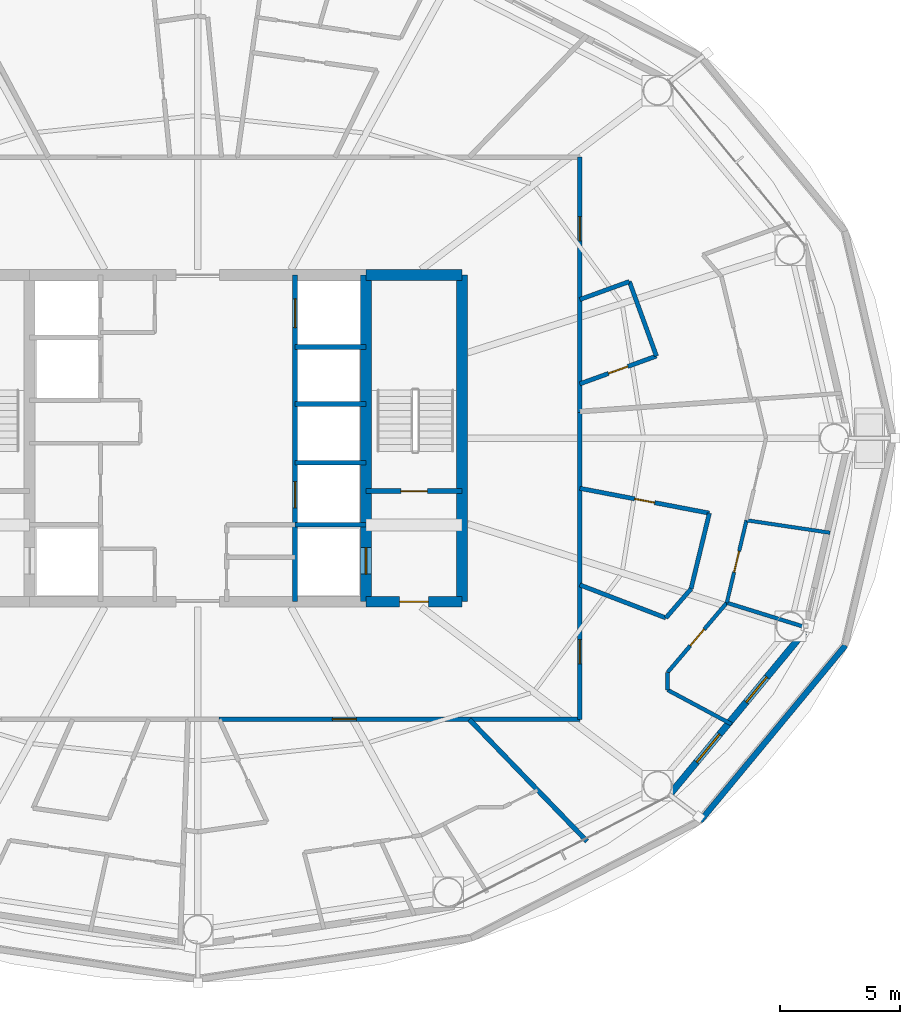
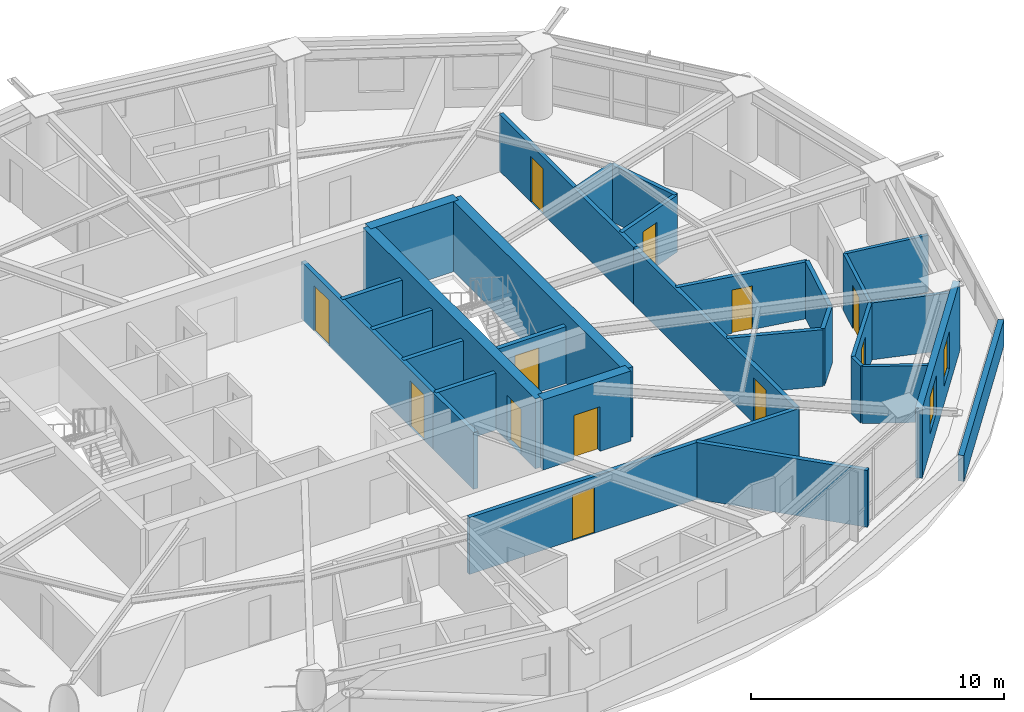
# One storey, part 22 of 27: 30 walls, 12 doors, 2 windows, 14 openings.
"""IFC4 building model written with IfcOpenShell, lengths in metres."""

from ifc_helpers import new_model, si_unit, direction, frame, frame_2d, origin, place, context, subcontext, project, spatial, rectangle, extrude, material, layer, layer_set, type_object, element, fill, save


model = new_model("IFC4")

# Units and contexts
model_context = context("Model", 3, precision=1e-05, world=origin(), true_north=direction((0.0, 1.0)))
body_context = subcontext(model_context, "Body", "Model", "MODEL_VIEW")
ifc_project = project(units=[si_unit("LENGTHUNIT", "METRE"), si_unit("AREAUNIT", "SQUARE_METRE"), si_unit("VOLUMEUNIT", "CUBIC_METRE"), si_unit("PLANEANGLEUNIT", "RADIAN"), si_unit("MASSUNIT", "GRAM", prefix="KILO")], contexts=[model_context])

# Site, building, storey
site_placement = place(None, origin())
site = spatial("IfcSite", under=ifc_project, at=site_placement, CompositionType="ELEMENT")
building_placement = place(site_placement, origin())
building = spatial("IfcBuilding", under=site, at=building_placement, Name="Sarneth Arch Tower", CompositionType="ELEMENT")
storey_placement = place(building_placement, frame((0.0, 0.0, 150.60009765625)))
storey = spatial("IfcBuildingStorey", under=building, at=storey_placement, Name="L37", CompositionType="ELEMENT", Elevation=150.60009765625)

# Wall, opening, door
ifc_material_1 = material(Name="Concrete C50/60", Category="concrete")
ifc_layer_1 = layer(ifc_material_1, 0.449951171875)
ifc_layer_set_1 = layer_set([ifc_layer_1], Name="Concrete C50/60")
wall_type_1 = type_object("IfcWallType", Name="WALL-CORE-450", PredefinedType="SHEAR", material=ifc_layer_set_1)
wall_1_placement = place(storey_placement, frame((55.0, 35.199951171875, 0.0), z_axis=(0.0, 0.0, 1.0), x_axis=(1.0, 0.0, 0.0)))
wall_1 = element("IfcWall", 1, at=wall_1_placement, inside=storey, type_object=wall_type_1, Name="L37 Core shear wall S-E", PredefinedType="SHEAR", context=body_context, shape_type="SweptSolid", body=[
    extrude(rectangle(XDim=4.0, YDim=0.449951171875, at=frame_2d((2.0, 0.0))), origin(), (0.0, 0.0, 1.0), 3.3798828125),
])
opening_1_placement = place(wall_1_placement, frame((1.39990234375, 0.0, 0.0)))
opening_1 = element("IfcOpeningElement", 2, at=opening_1_placement, cuts=wall_1, Name="Opening FD-02", PredefinedType="OPENING", context=body_context, shape_type="SweptSolid", body=[
    extrude(rectangle(XDim=1.199951171875, YDim=2.14990234375, at=frame_2d((0.60009765625, 1.074951171875))), frame((0.0, 0.23486328125, 0.0), z_axis=(0.0, -1.0, 0.0), x_axis=(1.0, 0.0, 0.0)), (0.0, 0.0, 1.0), 0.469970703125),
])
ifc_material_2 = material(Name="Galvanised Steel S275 fire door set", Category="steel")
door_type_1 = type_object("IfcDoorType", Name="DR-FD90-1200", OperationType="SINGLE_SWING_LEFT", PredefinedType="DOOR", material=ifc_material_2)
door_1_placement = place(opening_1_placement, origin())
door_1 = element("IfcDoor", 3, at=door_1_placement, inside=storey, type_object=door_type_1, Name="L37 Firefighting lobby 2 exit door", OperationType="SINGLE_SWING_RIGHT", OverallHeight=2.14990234375, OverallWidth=1.199951171875, PredefinedType="DOOR", context=body_context, shape_type="SweptSolid", body=[
    extrude(rectangle(XDim=1.199951171875, YDim=2.14990234375, at=frame_2d((0.60009765625, 1.074951171875))), frame((0.0, 0.02490234375, 0.0), z_axis=(0.0, -1.0, 0.0), x_axis=(1.0, 0.0, 0.0)), (0.0, 0.0, 1.0), 0.050048828125),
])
fill(opening_1, door_1)

# Walls
wall_2_placement = place(storey_placement, frame((55.0, 48.800048828125, 0.0), z_axis=(0.0, 0.0, 1.0), x_axis=(1.0, 0.0, 0.0)))
element("IfcWall", 4, at=wall_2_placement, inside=storey, type_object=wall_type_1, Name="L37 Core shear wall N-E", PredefinedType="SHEAR", context=body_context, shape_type="SweptSolid", body=[
    extrude(rectangle(XDim=4.0, YDim=0.449951171875, at=frame_2d((2.0, 0.0))), origin(), (0.0, 0.0, 1.0), 3.3798828125),
])
wall_3_placement = place(storey_placement, frame((59.0, 35.199951171875, 0.0), z_axis=(0.0, 0.0, 1.0), x_axis=(0.0, 1.0, 0.0)))
element("IfcWall", 5, at=wall_3_placement, inside=storey, type_object=wall_type_1, Name="L37 Core shear wall E", PredefinedType="SHEAR", context=body_context, shape_type="SweptSolid", body=[
    extrude(rectangle(XDim=13.60009765625, YDim=0.449951171875, at=frame_2d((6.800048828125, 0.0))), origin(), (0.0, 0.0, 1.0), 3.3798828125),
])

# Wall, opening, door
wall_4_placement = place(storey_placement, frame((55.0, 35.199951171875, 0.0), z_axis=(0.0, 0.0, 1.0), x_axis=(0.0, 1.0, 0.0)))
wall_4 = element("IfcWall", 6, at=wall_4_placement, inside=storey, type_object=wall_type_1, Name="L37 Core shear wall WEB-E", PredefinedType="SHEAR", context=body_context, shape_type="SweptSolid", body=[
    extrude(rectangle(XDim=13.60009765625, YDim=0.449951171875, at=frame_2d((6.800048828125, 0.0))), origin(), (0.0, 0.0, 1.0), 3.3798828125),
])
opening_2_placement = place(wall_4_placement, frame((1.14990234375, 0.0, 0.0)))
opening_2 = element("IfcOpeningElement", 7, at=opening_2_placement, cuts=wall_4, Name="Opening LD-1", PredefinedType="OPENING", context=body_context, shape_type="SweptSolid", body=[
    extrude(rectangle(XDim=1.10009765625, YDim=2.199951171875, at=frame_2d((0.550048828125, 1.10009765625))), frame((0.0, 0.23486328125, 0.0), z_axis=(0.0, -1.0, 0.0), x_axis=(1.0, 0.0, 0.0)), (0.0, 0.0, 1.0), 0.469970703125),
])
ifc_material_3 = material(Name="Brushed Stainless Steel 304 lift landing door", Category="steel")
door_type_2 = type_object("IfcDoorType", Name="DR-LIFT-SLIDE-1100", OperationType="SLIDING_TO_LEFT", PredefinedType="DOOR", material=ifc_material_3)
door_2_placement = place(opening_2_placement, origin())
door_2 = element("IfcDoor", 8, at=door_2_placement, inside=storey, type_object=door_type_2, Name="L37 Firefighting lift landing door FL-2", OperationType="SLIDING_TO_RIGHT", OverallHeight=2.199951171875, OverallWidth=1.10009765625, PredefinedType="DOOR", context=body_context, shape_type="SweptSolid", body=[
    extrude(rectangle(XDim=1.10009765625, YDim=2.199951171875, at=frame_2d((0.550048828125, 1.10009765625))), frame((0.0, 0.02490234375, 0.0), z_axis=(0.0, -1.0, 0.0), x_axis=(1.0, 0.0, 0.0)), (0.0, 0.0, 1.0), 0.050048828125),
])
fill(opening_2, door_2)

ifc_material_4 = material(Name="Double steel-stud corridor fire wall", Category="steel")
ifc_layer_2 = layer(ifc_material_4, 0.18994140625)
ifc_layer_set_2 = layer_set([ifc_layer_2], Name="Double steel-stud corridor fire wall")
wall_type_2 = type_object("IfcWallType", Name="WALL-CORR-190", PredefinedType="PARTITIONING", material=ifc_layer_set_2)
wall_5_placement = place(storey_placement, frame((48.89111328125, 30.300048828125, 0.0), z_axis=(0.0, 0.0, 1.0), x_axis=(1.0, 0.0, 0.0)))
wall_5 = element("IfcWall", 9, at=wall_5_placement, inside=storey, type_object=wall_type_2, Name="L37 Interior partition W-L37-TP-021", PredefinedType="PARTITIONING", context=body_context, shape_type="SweptSolid", body=[
    extrude(rectangle(XDim=15.0087890625, YDim=0.18994140625, at=frame_2d((7.50439453125, 0.0))), origin(), (0.0, 0.0, 1.0), 2.739990234375),
])
opening_3_placement = place(wall_5_placement, frame((4.70361328125, 0.0, 0.0)))
opening_3 = element("IfcOpeningElement", 10, at=opening_3_placement, cuts=wall_5, Name="Opening FD-08", PredefinedType="OPENING", context=body_context, shape_type="SweptSolid", body=[
    extrude(rectangle(XDim=1.0, YDim=2.199951171875, at=frame_2d((0.5, 1.10009765625))), frame((0.0, 0.10498046875, 0.0), z_axis=(0.0, -1.0, 0.0), x_axis=(1.0, 0.0, 0.0)), (0.0, 0.0, 1.0), 0.2099609375),
])
ifc_material_5 = material(Name="Hardwood timber acoustic fire door", Category="wood")
door_type_3 = type_object("IfcDoorType", Name="DR-FD60-1000", OperationType="SINGLE_SWING_LEFT", PredefinedType="DOOR", material=ifc_material_5)
door_3_placement = place(opening_3_placement, origin())
door_3 = element("IfcDoor", 11, at=door_3_placement, inside=storey, type_object=door_type_3, Name="L37 Interior door DR-L37-U7-ENT", OperationType="SINGLE_SWING_LEFT", OverallHeight=2.199951171875, OverallWidth=1.0, PredefinedType="DOOR", context=body_context, shape_type="SweptSolid", body=[
    extrude(rectangle(XDim=1.0, YDim=2.199951171875, at=frame_2d((0.5, 1.10009765625))), frame((0.0, 0.02490234375, 0.0), z_axis=(0.0, -1.0, 0.0), x_axis=(1.0, 0.0, 0.0)), (0.0, 0.0, 1.0), 0.050048828125),
])
fill(opening_3, door_3)

wall_6_placement = place(storey_placement, frame((63.89990234375, 53.699951171875, 0.0), z_axis=(0.0, 0.0, 1.0), x_axis=(0.0, -1.0, 0.0)))
wall_6 = element("IfcWall", 12, at=wall_6_placement, inside=storey, type_object=wall_type_2, Name="L37 Interior partition W-L37-TP-002", PredefinedType="PARTITIONING", context=body_context, shape_type="SweptSolid", body=[
    extrude(rectangle(XDim=10.620361328125, YDim=0.18994140625, at=frame_2d((5.31005859375, 0.0))), origin(), (0.0, 0.0, 1.0), 2.739990234375),
])
opening_4_placement = place(wall_6_placement, frame((2.479736328125, 0.0, 0.0)))
opening_4 = element("IfcOpeningElement", 13, at=opening_4_placement, cuts=wall_6, Name="Opening FD-08", PredefinedType="OPENING", context=body_context, shape_type="SweptSolid", body=[
    extrude(rectangle(XDim=1.0, YDim=2.199951171875, at=frame_2d((0.5, 1.10009765625))), frame((0.0, 0.10498046875, 0.0), z_axis=(0.0, -1.0, 0.0), x_axis=(1.0, 0.0, 0.0)), (0.0, 0.0, 1.0), 0.2099609375),
])
door_4_placement = place(opening_4_placement, origin())
door_4 = element("IfcDoor", 14, at=door_4_placement, inside=storey, type_object=door_type_3, Name="L37 Interior door DR-L37-U1-ENT", OperationType="SINGLE_SWING_LEFT", OverallHeight=2.199951171875, OverallWidth=1.0, PredefinedType="DOOR", context=body_context, shape_type="SweptSolid", body=[
    extrude(rectangle(XDim=1.0, YDim=2.199951171875, at=frame_2d((0.5, 1.10009765625))), frame((0.0, 0.02490234375, 0.0), z_axis=(0.0, -1.0, 0.0), x_axis=(1.0, 0.0, 0.0)), (0.0, 0.0, 1.0), 0.050048828125),
])
fill(opening_4, door_4)

wall_7_placement = place(storey_placement, frame((63.89990234375, 43.143798828125, 0.0), z_axis=(0.0, 0.0, 1.0), x_axis=(0.0, -1.0, 0.0)))
wall_7 = element("IfcWall", 15, at=wall_7_placement, inside=storey, type_object=wall_type_2, Name="L37 Interior partition W-L37-TP-023", PredefinedType="PARTITIONING", context=body_context, shape_type="SweptSolid", body=[
    extrude(rectangle(XDim=12.84375, YDim=0.18994140625, at=frame_2d((6.421875, 0.0))), origin(), (0.0, 0.0, 1.0), 2.739990234375),
])
opening_5_placement = place(wall_7_placement, frame((9.528564453125, 0.0, 0.0)))
opening_5 = element("IfcOpeningElement", 16, at=opening_5_placement, cuts=wall_7, Name="Opening FD-08", PredefinedType="OPENING", context=body_context, shape_type="SweptSolid", body=[
    extrude(rectangle(XDim=1.0, YDim=2.199951171875, at=frame_2d((0.5, 1.10009765625))), frame((0.0, 0.10498046875, 0.0), z_axis=(0.0, -1.0, 0.0), x_axis=(1.0, 0.0, 0.0)), (0.0, 0.0, 1.0), 0.2099609375),
])
door_5_placement = place(opening_5_placement, origin())
door_5 = element("IfcDoor", 17, at=door_5_placement, inside=storey, type_object=door_type_3, Name="L37 Interior door DR-L37-U8-ENT", OperationType="SINGLE_SWING_LEFT", OverallHeight=2.199951171875, OverallWidth=1.0, PredefinedType="DOOR", context=body_context, shape_type="SweptSolid", body=[
    extrude(rectangle(XDim=1.0, YDim=2.199951171875, at=frame_2d((0.5, 1.10009765625))), frame((0.0, 0.02490234375, 0.0), z_axis=(0.0, -1.0, 0.0), x_axis=(1.0, 0.0, 0.0)), (0.0, 0.0, 1.0), 0.050048828125),
])
fill(opening_5, door_5)

# Wall, openings, windows
ifc_material_6 = material(Name="Extruded terracotta rainscreen on Concrete C40/50 backing", Category="masonry")
ifc_layer_3 = layer(ifc_material_6, 0.280029296875)
ifc_layer_set_3 = layer_set([ifc_layer_3], Name="Extruded terracotta rainscreen on Concrete C40/50 backing")
wall_type_3 = type_object("IfcWallType", Name="WALL-EXT-TERRA-280", PredefinedType="SOLIDWALL", material=ifc_layer_set_3)
wall_8_placement = place(storey_placement, frame((67.576171875, 27.09423828125, 0.0), z_axis=(0.0, 0.0, 1.0), x_axis=(0.637333477683, 0.770588111915, 0.0)))
wall_8 = element("IfcWall", 18, at=wall_8_placement, inside=storey, type_object=wall_type_3, Name="L37 Terracotta perimeter wall 15", PredefinedType="SOLIDWALL", context=body_context, shape_type="SweptSolid", body=[
    extrude(rectangle(XDim=8.874755859375, YDim=0.280029296875, at=frame_2d((4.4375, 0.0))), origin(), (0.0, 0.0, 1.0), 3.3798828125),
])
opening_6_placement = place(wall_8_placement, frame((1.853759765625, 0.0, 0.85009765625)))
opening_6 = element("IfcOpeningElement", 19, at=opening_6_placement, cuts=wall_8, Name="Opening W-07", PredefinedType="OPENING", context=body_context, shape_type="SweptSolid", body=[
    extrude(rectangle(XDim=1.5, YDim=1.800048828125, at=frame_2d((0.75, 0.89990234375))), frame((0.0, 0.14990234375, 0.0), z_axis=(0.0, -1.0, 0.0), x_axis=(1.0, 0.0, 0.0)), (0.0, 0.0, 1.0), 0.300048828125),
])
opening_7_placement = place(wall_8_placement, frame((5.0966796875, 0.0, 0.85009765625)))
opening_7 = element("IfcOpeningElement", 20, at=opening_7_placement, cuts=wall_8, Name="Opening W-08", PredefinedType="OPENING", context=body_context, shape_type="SweptSolid", body=[
    extrude(rectangle(XDim=1.35009765625, YDim=1.800048828125, at=frame_2d((0.675048828125, 0.89990234375))), frame((0.0, 0.14990234375, 0.0), z_axis=(0.0, -1.0, 0.0), x_axis=(1.0, 0.0, 0.0)), (0.0, 0.0, 1.0), 0.300048828125),
])
ifc_material_7 = material(Name="Thermally broken Aluminium 6063-T6 and low-e laminated IGU", Category="aluminium")
window_type_1 = type_object("IfcWindowType", Name="WIN-TWR-1350x1800", PartitioningType="SINGLE_PANEL", PredefinedType="WINDOW", material=ifc_material_7)
window_1_placement = place(opening_7_placement, origin())
window_1 = element("IfcWindow", 21, at=window_1_placement, inside=storey, type_object=window_type_1, Name="L37 Exterior window 15B", OverallHeight=1.800048828125, OverallWidth=1.35009765625, PartitioningType="SINGLE_PANEL", PredefinedType="WINDOW", context=body_context, shape_type="SweptSolid", body=[
    extrude(rectangle(XDim=1.35009765625, YDim=1.800048828125, at=frame_2d((0.675048828125, 0.89990234375))), frame((0.0, 0.030029296875, 0.0), z_axis=(0.0, -1.0, 0.0), x_axis=(1.0, 0.0, 0.0)), (0.0, 0.0, 1.0), 0.06005859375),
])
fill(opening_7, window_1)
ifc_material_8 = material(Name="Thermally broken Aluminium 6063-T6 and low-e laminated IGU", Category="aluminium")
window_type_2 = type_object("IfcWindowType", Name="WIN-TWR-1500x1800", PartitioningType="SINGLE_PANEL", PredefinedType="WINDOW", material=ifc_material_8)
window_2_placement = place(opening_6_placement, origin())
window_2 = element("IfcWindow", 22, at=window_2_placement, inside=storey, type_object=window_type_2, Name="L37 Exterior window 15A", OverallHeight=1.800048828125, OverallWidth=1.5, PartitioningType="SINGLE_PANEL", PredefinedType="WINDOW", context=body_context, shape_type="SweptSolid", body=[
    extrude(rectangle(XDim=1.5, YDim=1.800048828125, at=frame_2d((0.75, 0.89990234375))), frame((0.0, 0.030029296875, 0.0), z_axis=(0.0, -1.0, 0.0), x_axis=(1.0, 0.0, 0.0)), (0.0, 0.0, 1.0), 0.06005859375),
])
fill(opening_6, window_2)

# Wall
ifc_material_9 = material(Name="Extruded terracotta rainscreen on Concrete C40/50 backing", Category="masonry")
ifc_layer_4 = layer(ifc_material_9, 0.239990234375)
ifc_layer_set_4 = layer_set([ifc_layer_4], Name="Extruded terracotta rainscreen on Concrete C40/50 backing")
wall_type_4 = type_object("IfcWallType", Name="WALL-PARAPET-240", PredefinedType="PARAPET", material=ifc_layer_set_4)
wall_9_placement = place(storey_placement, frame((68.91015625, 26.06884765625, 0.0), z_axis=(0.0, 0.0, 1.0), x_axis=(0.637107627078, 0.770774851379, 0.0)))
element("IfcWall", 23, at=wall_9_placement, inside=storey, type_object=wall_type_4, Name="L37 Setback roof parapet 15", PredefinedType="PARAPET", context=body_context, shape_type="SweptSolid", body=[
    extrude(rectangle(XDim=9.483154296875, YDim=0.239990234375, at=frame_2d((4.74169921875, 0.0))), origin(), (0.0, 0.0, 1.0), 1.25),
])

# Wall, opening, door
ifc_material_10 = material(Name="Acoustic gypsum stud partition", Category="gypsum")
ifc_layer_5 = layer(ifc_material_10, 0.14990234375)
ifc_layer_set_5 = layer_set([ifc_layer_5], Name="Acoustic gypsum stud partition")
wall_type_5 = type_object("IfcWallType", Name="WALL-PART-150", PredefinedType="PARTITIONING", material=ifc_layer_set_5)
wall_10_placement = place(storey_placement, frame((70.015380859375, 35.15283203125, 0.0), z_axis=(0.0, 0.0, 1.0), x_axis=(0.232452361323, 0.972607783084, 0.0)))
wall_10 = element("IfcWall", 24, at=wall_10_placement, inside=storey, type_object=wall_type_5, Name="L37 Interior partition W-L37-TP-108", PredefinedType="PARTITIONING", context=body_context, shape_type="SweptSolid", body=[
    extrude(rectangle(XDim=3.531005859375, YDim=0.14990234375, at=frame_2d((1.765625, 0.0))), origin(), (0.0, 0.0, 1.0), 2.739990234375),
])
opening_8_placement = place(wall_10_placement, frame((1.3154296875, 0.0, 0.0)))
opening_8 = element("IfcOpeningElement", 25, at=opening_8_placement, cuts=wall_10, Name="Opening ID-01", PredefinedType="OPENING", context=body_context, shape_type="SweptSolid", body=[
    extrude(rectangle(XDim=0.89990234375, YDim=2.10009765625, at=frame_2d((0.449951171875, 1.050048828125))), frame((0.0, 0.0849609375, 0.0), z_axis=(0.0, -1.0, 0.0), x_axis=(1.0, 0.0, 0.0)), (0.0, 0.0, 1.0), 0.169921875),
])
ifc_material_11 = material(Name="Engineered hardwood flush door", Category="wood")
door_type_4 = type_object("IfcDoorType", Name="DR-INT-900", OperationType="SINGLE_SWING_LEFT", PredefinedType="DOOR", material=ifc_material_11)
door_6_placement = place(opening_8_placement, origin())
door_6 = element("IfcDoor", 26, at=door_6_placement, inside=storey, type_object=door_type_4, Name="L37 Interior door DR-L37-U8-BED1", OperationType="SINGLE_SWING_RIGHT", OverallHeight=2.10009765625, OverallWidth=0.89990234375, PredefinedType="DOOR", context=body_context, shape_type="SweptSolid", body=[
    extrude(rectangle(XDim=0.89990234375, YDim=2.10009765625, at=frame_2d((0.449951171875, 1.050048828125))), frame((0.0, 0.02490234375, 0.0), z_axis=(0.0, -1.0, 0.0), x_axis=(1.0, 0.0, 0.0)), (0.0, 0.0, 1.0), 0.050048828125),
])
fill(opening_8, door_6)

# Wall
wall_11_placement = place(storey_placement, frame((74.31201171875, 38.067626953125, 0.0), z_axis=(0.0, 0.0, 1.0), x_axis=(-0.989013160958, 0.147827492205, 0.0)))
element("IfcWall", 27, at=wall_11_placement, inside=storey, type_object=wall_type_5, Name="L37 Interior partition W-L37-TP-112", PredefinedType="PARTITIONING", context=body_context, shape_type="SweptSolid", body=[
    extrude(rectangle(XDim=3.514404296875, YDim=0.14990234375, at=frame_2d((1.75732421875, 0.0))), origin(), (0.0, 0.0, 1.0), 2.739990234375),
])

# Wall, opening, door
ifc_material_12 = material(Name="Kitchen wet service chase wall", Category="gypsum")
ifc_layer_6 = layer(ifc_material_12, 0.159912109375)
ifc_layer_set_6 = layer_set([ifc_layer_6], Name="Kitchen wet service chase wall")
wall_type_6 = type_object("IfcWallType", Name="WALL-PLUMB-160", PredefinedType="PLUMBINGWALL", material=ifc_layer_set_6)
wall_12_placement = place(storey_placement, frame((67.550048828125, 32.255615234375, 0.0), z_axis=(0.0, 0.0, 1.0), x_axis=(0.648060027494, 0.76158925988, 0.0)))
wall_12 = element("IfcWall", 28, at=wall_12_placement, inside=storey, type_object=wall_type_6, Name="L37 Interior partition W-L37-TP-103", PredefinedType="PLUMBINGWALL", context=body_context, shape_type="SweptSolid", body=[
    extrude(rectangle(XDim=3.80419921875, YDim=0.159912109375, at=frame_2d((1.902099609375, 0.0))), origin(), (0.0, 0.0, 1.0), 2.739990234375),
])
opening_9_placement = place(wall_12_placement, frame((1.4521484375, 0.0, 0.0)))
opening_9 = element("IfcOpeningElement", 29, at=opening_9_placement, cuts=wall_12, Name="Opening ID-01", PredefinedType="OPENING", context=body_context, shape_type="SweptSolid", body=[
    extrude(rectangle(XDim=0.89990234375, YDim=2.10009765625, at=frame_2d((0.449951171875, 1.050048828125))), frame((0.0, 0.08984375, 0.0), z_axis=(0.0, -1.0, 0.0), x_axis=(1.0, 0.0, 0.0)), (0.0, 0.0, 1.0), 0.179931640625),
])
door_7_placement = place(opening_9_placement, origin())
door_7 = element("IfcDoor", 30, at=door_7_placement, inside=storey, type_object=door_type_4, Name="L37 Interior door DR-L37-U8-KIT", OperationType="SINGLE_SWING_LEFT", OverallHeight=2.10009765625, OverallWidth=0.89990234375, PredefinedType="DOOR", context=body_context, shape_type="SweptSolid", body=[
    extrude(rectangle(XDim=0.89990234375, YDim=2.10009765625, at=frame_2d((0.449951171875, 1.050048828125))), frame((0.0, 0.02490234375, 0.0), z_axis=(0.0, -1.0, 0.0), x_axis=(1.0, 0.0, 0.0)), (0.0, 0.0, 1.0), 0.050048828125),
])
fill(opening_9, door_7)

# Walls
wall_13_placement = place(storey_placement, frame((70.015380859375, 35.15283203125, 0.0), z_axis=(0.0, 0.0, 1.0), x_axis=(0.954891562425, -0.296954717101, 0.0)))
element("IfcWall", 31, at=wall_13_placement, inside=storey, type_object=wall_type_6, Name="L37 Interior partition W-L37-TP-111", PredefinedType="PLUMBINGWALL", context=body_context, shape_type="SweptSolid", body=[
    extrude(rectangle(XDim=3.53857421875, YDim=0.159912109375, at=frame_2d((1.769287109375, 0.0))), origin(), (0.0, 0.0, 1.0), 2.739990234375),
])
wall_14_placement = place(storey_placement, frame((70.213623046875, 30.0986328125, 0.0), z_axis=(0.0, 0.0, 1.0), x_axis=(-0.881434325569, 0.472306605616, 0.0)))
element("IfcWall", 32, at=wall_14_placement, inside=storey, type_object=wall_type_6, Name="L37 Interior partition W-L37-TP-101", PredefinedType="PLUMBINGWALL", context=body_context, shape_type="SweptSolid", body=[
    extrude(rectangle(XDim=3.02197265625, YDim=0.159912109375, at=frame_2d((1.510986328125, 0.0))), origin(), (0.0, 0.0, 1.0), 2.739990234375),
])
wall_15_placement = place(storey_placement, frame((67.550048828125, 31.52587890625, 0.0), z_axis=(0.0, 0.0, 1.0), x_axis=(0.0, 1.0, 0.0)))
element("IfcWall", 33, at=wall_15_placement, inside=storey, type_object=wall_type_6, Name="L37 Interior partition W-L37-TP-102", PredefinedType="PLUMBINGWALL", context=body_context, shape_type="SweptSolid", body=[
    extrude(rectangle(XDim=0.729736328125, YDim=0.159912109375, at=frame_2d((0.36474609375, 0.0))), origin(), (0.0, 0.0, 1.0), 2.739990234375),
])

# Wall, opening, door
ifc_material_13 = material(Name="Moisture-resistant plumbing chase wall", Category="gypsum")
ifc_layer_7 = layer(ifc_material_13, 0.179931640625)
ifc_layer_set_7 = layer_set([ifc_layer_7], Name="Moisture-resistant plumbing chase wall")
wall_type_7 = type_object("IfcWallType", Name="WALL-PLUMB-180", PredefinedType="PLUMBINGWALL", material=ifc_layer_set_7)
wall_16_placement = place(storey_placement, frame((69.289794921875, 38.8828125, 0.0), z_axis=(0.0, 0.0, 1.0), x_axis=(-0.98210182834, 0.188350733396, 0.0)))
wall_16 = element("IfcWall", 34, at=wall_16_placement, inside=storey, type_object=wall_type_7, Name="L37 Interior partition W-L37-TP-107", PredefinedType="PLUMBINGWALL", context=body_context, shape_type="SweptSolid", body=[
    extrude(rectangle(XDim=5.488037109375, YDim=0.179931640625, at=frame_2d((2.744140625, 0.0))), origin(), (0.0, 0.0, 1.0), 2.739990234375),
])
opening_10_placement = place(wall_16_placement, frame((2.319091796875, 0.0, 0.0)))
opening_10 = element("IfcOpeningElement", 35, at=opening_10_placement, cuts=wall_16, Name="Opening ID-02", PredefinedType="OPENING", context=body_context, shape_type="SweptSolid", body=[
    extrude(rectangle(XDim=0.85009765625, YDim=2.10009765625, at=frame_2d((0.425048828125, 1.050048828125))), frame((0.0, 0.099853515625, 0.0), z_axis=(0.0, -1.0, 0.0), x_axis=(1.0, 0.0, 0.0)), (0.0, 0.0, 1.0), 0.199951171875),
])
ifc_material_14 = material(Name="Moisture-resistant bathroom timber door", Category="wood")
door_type_5 = type_object("IfcDoorType", Name="DR-INT-850", OperationType="SINGLE_SWING_RIGHT", PredefinedType="DOOR", material=ifc_material_14)
door_8_placement = place(opening_10_placement, origin())
door_8 = element("IfcDoor", 36, at=door_8_placement, inside=storey, type_object=door_type_5, Name="L37 Interior door DR-L37-U8-BATH", OperationType="SINGLE_SWING_RIGHT", OverallHeight=2.10009765625, OverallWidth=0.85009765625, PredefinedType="DOOR", context=body_context, shape_type="SweptSolid", body=[
    extrude(rectangle(XDim=0.85009765625, YDim=2.10009765625, at=frame_2d((0.425048828125, 1.050048828125))), frame((0.0, 0.02490234375, 0.0), z_axis=(0.0, -1.0, 0.0), x_axis=(1.0, 0.0, 0.0)), (0.0, 0.0, 1.0), 0.050048828125),
])
fill(opening_10, door_8)

# Wall
wall_17_placement = place(storey_placement, frame((63.89990234375, 35.896484375, 0.0), z_axis=(0.0, 0.0, 1.0), x_axis=(0.933598121494, -0.3583218491, 0.0)))
element("IfcWall", 37, at=wall_17_placement, inside=storey, type_object=wall_type_7, Name="L37 Interior partition W-L37-TP-104", PredefinedType="PLUMBINGWALL", context=body_context, shape_type="SweptSolid", body=[
    extrude(rectangle(XDim=3.833984375, YDim=0.179931640625, at=frame_2d((1.9169921875, 0.0))), origin(), (0.0, 0.0, 1.0), 2.739990234375),
])

# Wall, opening, door
wall_18_placement = place(storey_placement, frame((63.89990234375, 44.26416015625, 0.0), z_axis=(0.0, 0.0, 1.0), x_axis=(0.939936319397, 0.341349843238, 0.0)))
wall_18 = element("IfcWall", 38, at=wall_18_placement, inside=storey, type_object=wall_type_7, Name="L37 Interior partition W-L37-TP-027", PredefinedType="PLUMBINGWALL", context=body_context, shape_type="SweptSolid", body=[
    extrude(rectangle(XDim=3.39013671875, YDim=0.179931640625, at=frame_2d((1.695068359375, 0.0))), origin(), (0.0, 0.0, 1.0), 2.739990234375),
])
opening_11_placement = place(wall_18_placement, frame((1.27001953125, 0.0, 0.0)))
opening_11 = element("IfcOpeningElement", 39, at=opening_11_placement, cuts=wall_18, Name="Opening ID-02", PredefinedType="OPENING", context=body_context, shape_type="SweptSolid", body=[
    extrude(rectangle(XDim=0.85009765625, YDim=2.10009765625, at=frame_2d((0.425048828125, 1.050048828125))), frame((0.0, 0.099853515625, 0.0), z_axis=(0.0, -1.0, 0.0), x_axis=(1.0, 0.0, 0.0)), (0.0, 0.0, 1.0), 0.199951171875),
])
door_9_placement = place(opening_11_placement, origin())
door_9 = element("IfcDoor", 40, at=door_9_placement, inside=storey, type_object=door_type_5, Name="L37 Interior door DR-L37-U1-BATH", OperationType="SINGLE_SWING_LEFT", OverallHeight=2.10009765625, OverallWidth=0.85009765625, PredefinedType="DOOR", context=body_context, shape_type="SweptSolid", body=[
    extrude(rectangle(XDim=0.85009765625, YDim=2.10009765625, at=frame_2d((0.425048828125, 1.050048828125))), frame((0.0, 0.02490234375, 0.0), z_axis=(0.0, -1.0, 0.0), x_axis=(1.0, 0.0, 0.0)), (0.0, 0.0, 1.0), 0.050048828125),
])
fill(opening_11, door_9)

# Walls
wall_19_placement = place(storey_placement, frame((67.08642578125, 45.42138671875, 0.0), z_axis=(0.0, 0.0, 1.0), x_axis=(-0.341333094487, 0.93994240175, 0.0)))
element("IfcWall", 41, at=wall_19_placement, inside=storey, type_object=wall_type_7, Name="L37 Interior partition W-L37-TP-028", PredefinedType="PLUMBINGWALL", context=body_context, shape_type="SweptSolid", body=[
    extrude(rectangle(XDim=3.299560546875, YDim=0.179931640625, at=frame_2d((1.64990234375, 0.0))), origin(), (0.0, 0.0, 1.0), 2.739990234375),
])
wall_20_placement = place(storey_placement, frame((68.526123046875, 35.731689453125, 0.0), z_axis=(0.0, 0.0, 1.0), x_axis=(0.235531062042, 0.971866821541, 0.0)))
element("IfcWall", 42, at=wall_20_placement, inside=storey, type_object=wall_type_7, Name="L37 Interior partition W-L37-TP-106", PredefinedType="PLUMBINGWALL", context=body_context, shape_type="SweptSolid", body=[
    extrude(rectangle(XDim=3.242431640625, YDim=0.179931640625, at=frame_2d((1.62109375, 0.0))), origin(), (0.0, 0.0, 1.0), 2.739990234375),
])
wall_21_placement = place(storey_placement, frame((65.960205078125, 48.522705078125, 0.0), z_axis=(0.0, 0.0, 1.0), x_axis=(-0.939962415694, -0.341277976263, 0.0)))
element("IfcWall", 43, at=wall_21_placement, inside=storey, type_object=wall_type_7, Name="L37 Interior partition W-L37-TP-029", PredefinedType="PLUMBINGWALL", context=body_context, shape_type="SweptSolid", body=[
    extrude(rectangle(XDim=2.19189453125, YDim=0.179931640625, at=frame_2d((1.095947265625, 0.0))), origin(), (0.0, 0.0, 1.0), 2.739990234375),
])
wall_22_placement = place(storey_placement, frame((67.479248046875, 34.522705078125, 0.0), z_axis=(0.0, 0.0, 1.0), x_axis=(0.654605010187, 0.755971084525, 0.0)))
element("IfcWall", 44, at=wall_22_placement, inside=storey, type_object=wall_type_7, Name="L37 Interior partition W-L37-TP-105", PredefinedType="PLUMBINGWALL", context=body_context, shape_type="SweptSolid", body=[
    extrude(rectangle(XDim=1.599365234375, YDim=0.179931640625, at=frame_2d((0.7998046875, 0.0))), origin(), (0.0, 0.0, 1.0), 2.739990234375),
])

# Wall, opening, door
ifc_material_15 = material(Name="Aerated concrete blockwork C25/30", Category="masonry")
ifc_layer_8 = layer(ifc_material_15, 0.199951171875)
ifc_layer_set_8 = layer_set([ifc_layer_8], Name="Aerated concrete blockwork C25/30")
wall_type_8 = type_object("IfcWallType", Name="WALL-SHAFT-200", PredefinedType="SOLIDWALL", material=ifc_layer_set_8)
wall_23_placement = place(storey_placement, frame((55.0, 39.800048828125, 0.0), z_axis=(0.0, 0.0, 1.0), x_axis=(1.0, 0.0, 0.0)))
wall_23 = element("IfcWall", 45, at=wall_23_placement, inside=storey, type_object=wall_type_8, Name="L37 Interior partition W-L37-ST2-S", PredefinedType="SOLIDWALL", context=body_context, shape_type="SweptSolid", body=[
    extrude(rectangle(XDim=4.0, YDim=0.199951171875, at=frame_2d((2.0, 0.0))), origin(), (0.0, 0.0, 1.0), 2.739990234375),
])
opening_12_placement = place(wall_23_placement, frame((1.449951171875, 0.0, 0.0)))
opening_12 = element("IfcOpeningElement", 46, at=opening_12_placement, cuts=wall_23, Name="Opening FD-03", PredefinedType="OPENING", context=body_context, shape_type="SweptSolid", body=[
    extrude(rectangle(XDim=1.10009765625, YDim=2.14990234375, at=frame_2d((0.550048828125, 1.074951171875))), frame((0.0, 0.10986328125, 0.0), z_axis=(0.0, -1.0, 0.0), x_axis=(1.0, 0.0, 0.0)), (0.0, 0.0, 1.0), 0.219970703125),
])
ifc_material_16 = material(Name="Galvanised Steel S275 fire door set", Category="steel")
door_type_6 = type_object("IfcDoorType", Name="DR-FD90-1100", OperationType="SINGLE_SWING_LEFT", PredefinedType="DOOR", material=ifc_material_16)
door_10_placement = place(opening_12_placement, origin())
door_10 = element("IfcDoor", 47, at=door_10_placement, inside=storey, type_object=door_type_6, Name="L37 Interior door DR-L37-ST2", OperationType="SINGLE_SWING_RIGHT", OverallHeight=2.14990234375, OverallWidth=1.10009765625, PredefinedType="DOOR", context=body_context, shape_type="SweptSolid", body=[
    extrude(rectangle(XDim=1.10009765625, YDim=2.14990234375, at=frame_2d((0.550048828125, 1.074951171875))), frame((0.0, 0.02490234375, 0.0), z_axis=(0.0, -1.0, 0.0), x_axis=(1.0, 0.0, 0.0)), (0.0, 0.0, 1.0), 0.050048828125),
])
fill(opening_12, door_10)

# Walls
wall_24_placement = place(storey_placement, frame((52.050048828125, 35.199951171875, 0.0), z_axis=(0.0, 0.0, 1.0), x_axis=(0.0, 1.0, 0.0)))
element("IfcWall", 48, at=wall_24_placement, inside=storey, type_object=wall_type_8, Name="L37 Interior partition W-L37-FL2-W", PredefinedType="SOLIDWALL", context=body_context, shape_type="SweptSolid", body=[
    extrude(rectangle(XDim=3.199951171875, YDim=0.199951171875, at=frame_2d((1.60009765625, 0.0))), origin(), (0.0, 0.0, 1.0), 2.739990234375),
])
wall_25_placement = place(storey_placement, frame((52.050048828125, 38.39990234375, 0.0), z_axis=(0.0, 0.0, 1.0), x_axis=(1.0, 0.0, 0.0)))
element("IfcWall", 49, at=wall_25_placement, inside=storey, type_object=wall_type_8, Name="L37 Interior partition W-L37-FL2-N", PredefinedType="SOLIDWALL", context=body_context, shape_type="SweptSolid", body=[
    extrude(rectangle(XDim=2.949951171875, YDim=0.199951171875, at=frame_2d((1.47509765625, 0.0))), origin(), (0.0, 0.0, 1.0), 2.739990234375),
])

# Wall, openings, doors
wall_26_placement = place(storey_placement, frame((52.050048828125, 38.39990234375, 0.0), z_axis=(0.0, 0.0, 1.0), x_axis=(0.0, 1.0, 0.0)))
wall_26 = element("IfcWall", 50, at=wall_26_placement, inside=storey, type_object=wall_type_8, Name="L37 Interior partition W-L37-EASTBANK-FRONT", PredefinedType="SOLIDWALL", context=body_context, shape_type="SweptSolid", body=[
    extrude(rectangle(XDim=10.400146484375, YDim=0.199951171875, at=frame_2d((5.2001953125, 0.0))), origin(), (0.0, 0.0, 1.0), 2.739990234375),
])
opening_13_placement = place(wall_26_placement, frame((0.699951171875, 0.0, 0.0)))
opening_13 = element("IfcOpeningElement", 51, at=opening_13_placement, cuts=wall_26, Name="Opening LD-1", PredefinedType="OPENING", context=body_context, shape_type="SweptSolid", body=[
    extrude(rectangle(XDim=1.10009765625, YDim=2.199951171875, at=frame_2d((0.550048828125, 1.10009765625))), frame((0.0, 0.10986328125, 0.0), z_axis=(0.0, -1.0, 0.0), x_axis=(1.0, 0.0, 0.0)), (0.0, 0.0, 1.0), 0.219970703125),
])
opening_14_placement = place(wall_26_placement, frame((8.199951171875, 0.0, 0.0)))
opening_14 = element("IfcOpeningElement", 52, at=opening_14_placement, cuts=wall_26, Name="Opening LD-2", PredefinedType="OPENING", context=body_context, shape_type="SweptSolid", body=[
    extrude(rectangle(XDim=1.199951171875, YDim=2.199951171875, at=frame_2d((0.60009765625, 1.10009765625))), frame((0.0, 0.10986328125, 0.0), z_axis=(0.0, -1.0, 0.0), x_axis=(1.0, 0.0, 0.0)), (0.0, 0.0, 1.0), 0.219970703125),
])
door_11_placement = place(opening_13_placement, origin())
door_11 = element("IfcDoor", 53, at=door_11_placement, inside=storey, type_object=door_type_2, Name="L37 Lift landing door DR-L37-LD-PM2", OperationType="SLIDING_TO_LEFT", OverallHeight=2.199951171875, OverallWidth=1.10009765625, PredefinedType="DOOR", context=body_context, shape_type="SweptSolid", body=[
    extrude(rectangle(XDim=1.10009765625, YDim=2.199951171875, at=frame_2d((0.550048828125, 1.10009765625))), frame((0.0, 0.02490234375, 0.0), z_axis=(0.0, -1.0, 0.0), x_axis=(1.0, 0.0, 0.0)), (0.0, 0.0, 1.0), 0.050048828125),
])
fill(opening_13, door_11)
ifc_material_17 = material(Name="Brushed Stainless Steel 304 service lift door", Category="steel")
door_type_7 = type_object("IfcDoorType", Name="DR-LIFT-SLIDE-1200", OperationType="SLIDING_TO_RIGHT", PredefinedType="DOOR", material=ifc_material_17)
door_12_placement = place(opening_14_placement, origin())
door_12 = element("IfcDoor", 54, at=door_12_placement, inside=storey, type_object=door_type_7, Name="L37 Lift landing door DR-L37-LD-SL1", OperationType="SLIDING_TO_RIGHT", OverallHeight=2.199951171875, OverallWidth=1.199951171875, PredefinedType="DOOR", context=body_context, shape_type="SweptSolid", body=[
    extrude(rectangle(XDim=1.199951171875, YDim=2.199951171875, at=frame_2d((0.60009765625, 1.10009765625))), frame((0.0, 0.02490234375, 0.0), z_axis=(0.0, -1.0, 0.0), x_axis=(1.0, 0.0, 0.0)), (0.0, 0.0, 1.0), 0.050048828125),
])
fill(opening_14, door_12)

# Walls
for number, where, z_axis, x_axis, name in (
    (55, (52.050048828125, 40.97998046875, 0.0), (0.0, 0.0, 1.0), (1.0, 0.0, 0.0), "L37 Interior partition W-L37-EB-DIV-4098"),
    (56, (52.050048828125, 43.419921875, 0.0), (0.0, 0.0, 1.0), (1.0, 0.0, 0.0), "L37 Interior partition W-L37-EB-DIV-4342"),
    (57, (52.050048828125, 45.800048828125, 0.0), (0.0, 0.0, 1.0), (1.0, 0.0, 0.0), "L37 Interior partition W-L37-EB-DIV-4580"),
):
    element("IfcWall", number, at=place(storey_placement, frame(where, z_axis=z_axis, x_axis=x_axis)), inside=storey, type_object=wall_type_8, Name=name, PredefinedType="SOLIDWALL", context=body_context, shape_type="SweptSolid", body=[
        extrude(rectangle(XDim=2.949951171875, YDim=0.199951171875, at=frame_2d((1.47509765625, 0.0))), origin(), (0.0, 0.0, 1.0), 2.739990234375),
    ])
ifc_material_18 = material(Name="Double steel-stud acoustic drywall", Category="steel")
ifc_layer_9 = layer(ifc_material_18, 0.199951171875)
ifc_layer_set_9 = layer_set([ifc_layer_9], Name="Double steel-stud acoustic drywall")
wall_type_9 = type_object("IfcWallType", Name="WALL-UNIT-200", PredefinedType="PARTITIONING", material=ifc_layer_set_9)
wall_27_placement = place(storey_placement, frame((59.298583984375, 30.300048828125, 0.0), z_axis=(0.0, 0.0, 1.0), x_axis=(0.694647685064, -0.719350118952, 0.0)))
element("IfcWall", 58, at=wall_27_placement, inside=storey, type_object=wall_type_9, Name="L37 Interior partition W-L37-TP-097", PredefinedType="PARTITIONING", context=body_context, shape_type="SweptSolid", body=[
    extrude(rectangle(XDim=7.046875, YDim=0.199951171875, at=frame_2d((3.5234375, 0.0))), origin(), (0.0, 0.0, 1.0), 2.739990234375),
])

save(model, "model.ifc")
